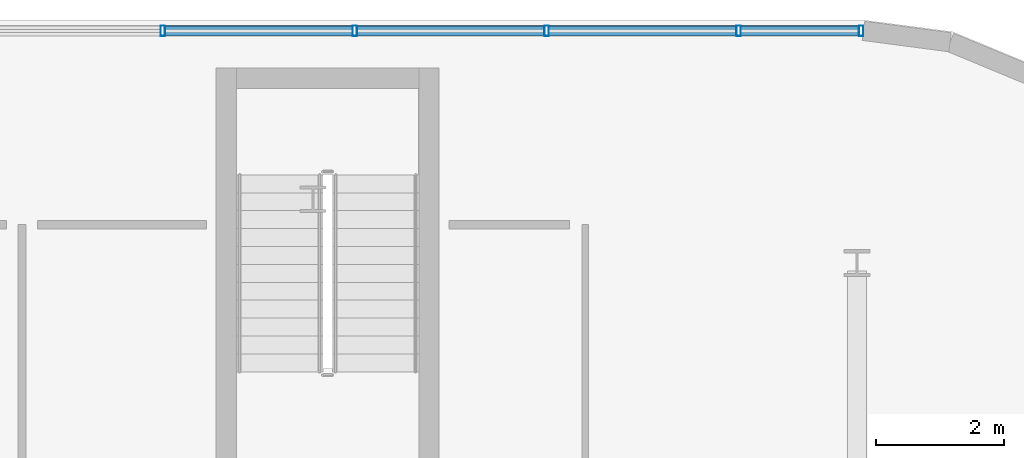
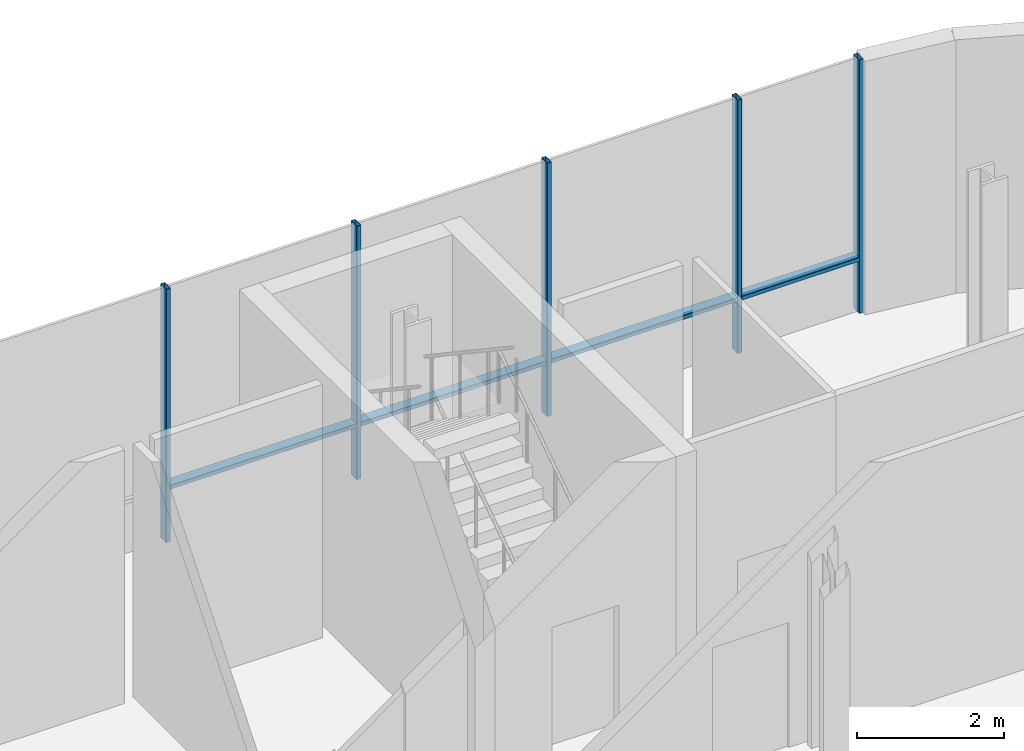
# One storey, part 13 of 25: 9 members, 1 element without a shape of its own.
"""IFC4 building model written with IfcOpenShell, lengths in metres."""

from ifc_helpers import new_model, si_unit, direction, frame, origin, origin_2d, place, context, subcontext, project, spatial, hollow_rectangle, extrude, material, layer, layer_set, material_profile, profile_set, type_object, element, aggregate, save


model = new_model("IFC4")

# Units and contexts
model_context = context("Model", 3, precision=1e-05, world=origin(), true_north=direction((0.0, 1.0)))
body_context = subcontext(model_context, "Body", "Model", "MODEL_VIEW")
ifc_project = project(units=[si_unit("LENGTHUNIT", "METRE"), si_unit("AREAUNIT", "SQUARE_METRE"), si_unit("VOLUMEUNIT", "CUBIC_METRE"), si_unit("PLANEANGLEUNIT", "RADIAN"), si_unit("MASSUNIT", "GRAM", prefix="KILO")], contexts=[model_context])

# Site, building, storey
site_placement = place(None, origin())
site = spatial("IfcSite", under=ifc_project, at=site_placement, CompositionType="ELEMENT")
building_placement = place(site_placement, origin())
building = spatial("IfcBuilding", under=site, at=building_placement, Name="Brevholm Reach", CompositionType="ELEMENT")
storey_placement = place(building_placement, frame((0.0, 0.0, 13.5)))
storey = spatial("IfcBuildingStorey", under=building, at=storey_placement, Name="L03", CompositionType="ELEMENT", Elevation=13.5)

# Curtain wall, members
ifc_material_1 = material(Name="Dark Anodised Aluminium 6063-T6 and Solar-Control Glass", Category="aluminium")
ifc_layer = layer(ifc_material_1, 0.1650390625)
ifc_layer_set = layer_set([ifc_layer], Name="Dark Anodised Aluminium 6063-T6 and Solar-Control Glass")
curtain_wall_type = type_object("IfcCurtainWallType", Name="CW-03", PredefinedType="NOTDEFINED", material=ifc_layer_set)
curtain_wall_placement = place(storey_placement, origin())
curtain_wall = element("IfcCurtainWall", 1, at=curtain_wall_placement, inside=storey, type_object=curtain_wall_type, Name="L03 Curtain Wall CW-03", PredefinedType="NOTDEFINED")
ifc_material_2 = material(Name="Dark Anodised Aluminium 6063-T6", Category="aluminium")
ifc_material_profile_1 = material_profile(ifc_material_2, hollow_rectangle(XDim=0.070068359375, YDim=0.1650390625, WallThickness=0.0048828125, InnerFilletRadius=0.0048828125, OuterFilletRadius=0.010009765625, at=origin_2d()), Name="RHS 165x70x5")
ifc_profile_set_1 = profile_set([ifc_material_profile_1], Name="Dark Anodised Aluminium 6063-T6")
member_type_1 = type_object("IfcMemberType", Name="CWM-165", PredefinedType="MULLION", material=ifc_profile_set_1)
member_1_placement = place(storey_placement, frame((54.64990234375, 39.830078125, 0.0), z_axis=(0.0, 0.0, 1.0), x_axis=(1.0, 0.0, 0.0)))
member_1 = element("IfcMember", 2, at=member_1_placement, type_object=member_type_1, Name="CM-165 Mullion 3", PredefinedType="MULLION", context=body_context, shape_type="SweptSolid", body=[
    extrude(hollow_rectangle(XDim=0.070068359375, YDim=0.1650390625, WallThickness=0.0048828125, InnerFilletRadius=0.0048828125, OuterFilletRadius=0.010009765625, at=origin_2d()), origin(), (0.0, 0.0, 1.0), 4.219970703125),
])
member_2_placement = place(storey_placement, frame((57.64990234375, 39.830078125, 0.0), z_axis=(0.0, 0.0, 1.0), x_axis=(1.0, 0.0, 0.0)))
member_2 = element("IfcMember", 3, at=member_2_placement, type_object=member_type_1, Name="CM-165 Mullion 4", PredefinedType="MULLION", context=body_context, shape_type="SweptSolid", body=[
    extrude(hollow_rectangle(XDim=0.070068359375, YDim=0.1650390625, WallThickness=0.0048828125, InnerFilletRadius=0.0048828125, OuterFilletRadius=0.010009765625, at=origin_2d()), origin(), (0.0, 0.0, 1.0), 4.219970703125),
])
member_3_placement = place(storey_placement, frame((60.64990234375, 39.830078125, 0.0), z_axis=(0.0, 0.0, 1.0), x_axis=(1.0, 0.0, 0.0)))
member_3 = element("IfcMember", 4, at=member_3_placement, type_object=member_type_1, Name="CM-165 Mullion 5", PredefinedType="MULLION", context=body_context, shape_type="SweptSolid", body=[
    extrude(hollow_rectangle(XDim=0.070068359375, YDim=0.1650390625, WallThickness=0.0048828125, InnerFilletRadius=0.0048828125, OuterFilletRadius=0.010009765625, at=origin_2d()), origin(), (0.0, 0.0, 1.0), 4.219970703125),
])
member_4_placement = place(storey_placement, frame((63.64990234375, 39.830078125, 0.0), z_axis=(0.0, 0.0, 1.0), x_axis=(1.0, 0.0, 0.0)))
member_4 = element("IfcMember", 5, at=member_4_placement, type_object=member_type_1, Name="CM-165 Mullion 6", PredefinedType="MULLION", context=body_context, shape_type="SweptSolid", body=[
    extrude(hollow_rectangle(XDim=0.070068359375, YDim=0.1650390625, WallThickness=0.0048828125, InnerFilletRadius=0.0048828125, OuterFilletRadius=0.010009765625, at=origin_2d()), origin(), (0.0, 0.0, 1.0), 4.219970703125),
])
member_5_placement = place(storey_placement, frame((65.56494140625, 39.830078125, 0.0), z_axis=(0.0, 0.0, 1.0), x_axis=(1.0, 0.0, 0.0)))
member_5 = element("IfcMember", 6, at=member_5_placement, type_object=member_type_1, Name="CM-165 Mullion 7", PredefinedType="MULLION", context=body_context, shape_type="SweptSolid", body=[
    extrude(hollow_rectangle(XDim=0.070068359375, YDim=0.1650390625, WallThickness=0.0048828125, InnerFilletRadius=0.0048828125, OuterFilletRadius=0.010009765625, at=origin_2d()), origin(), (0.0, 0.0, 1.0), 4.219970703125),
])
ifc_material_3 = material(Name="Dark Anodised Aluminium 6063-T6", Category="aluminium")
ifc_material_profile_2 = material_profile(ifc_material_3, hollow_rectangle(XDim=0.070068359375, YDim=0.1650390625, WallThickness=0.0048828125, InnerFilletRadius=0.0048828125, OuterFilletRadius=0.010009765625, at=origin_2d()), Name="RHS 165x70x5")
ifc_profile_set_2 = profile_set([ifc_material_profile_2], Name="Dark Anodised Aluminium 6063-T6")
member_type_2 = type_object("IfcMemberType", Name="CWT-165", PredefinedType="NOTDEFINED", material=ifc_profile_set_2)
member_6_placement = place(storey_placement, frame((54.68505859375, 39.830078125, 0.89990234375), z_axis=(1.0, 0.0, 0.0), x_axis=(0.0, 0.0, 1.0)))
member_6 = element("IfcMember", 7, at=member_6_placement, type_object=member_type_2, Name="CT-165 Transom 3.1", ObjectType="TRANSOM", PredefinedType="USERDEFINED", context=body_context, shape_type="SweptSolid", body=[
    extrude(hollow_rectangle(XDim=0.070068359375, YDim=0.1650390625, WallThickness=0.0048828125, InnerFilletRadius=0.0048828125, OuterFilletRadius=0.010009765625, at=origin_2d()), origin(), (0.0, 0.0, 1.0), 2.929931640625),
])
member_7_placement = place(storey_placement, frame((57.68505859375, 39.830078125, 0.89990234375), z_axis=(1.0, 0.0, 0.0), x_axis=(0.0, 0.0, 1.0)))
member_7 = element("IfcMember", 8, at=member_7_placement, type_object=member_type_2, Name="CT-165 Transom 4.1", ObjectType="TRANSOM", PredefinedType="USERDEFINED", context=body_context, shape_type="SweptSolid", body=[
    extrude(hollow_rectangle(XDim=0.070068359375, YDim=0.1650390625, WallThickness=0.0048828125, InnerFilletRadius=0.0048828125, OuterFilletRadius=0.010009765625, at=origin_2d()), origin(), (0.0, 0.0, 1.0), 2.929931640625),
])
member_8_placement = place(storey_placement, frame((60.68505859375, 39.830078125, 0.89990234375), z_axis=(1.0, 0.0, 0.0), x_axis=(0.0, 0.0, 1.0)))
member_8 = element("IfcMember", 9, at=member_8_placement, type_object=member_type_2, Name="CT-165 Transom 5.1", ObjectType="TRANSOM", PredefinedType="USERDEFINED", context=body_context, shape_type="SweptSolid", body=[
    extrude(hollow_rectangle(XDim=0.070068359375, YDim=0.1650390625, WallThickness=0.0048828125, InnerFilletRadius=0.0048828125, OuterFilletRadius=0.010009765625, at=origin_2d()), origin(), (0.0, 0.0, 1.0), 2.929931640625),
])
member_9_placement = place(storey_placement, frame((63.68505859375, 39.830078125, 0.89990234375), z_axis=(1.0, 0.0, 0.0), x_axis=(0.0, 0.0, 1.0)))
member_9 = element("IfcMember", 10, at=member_9_placement, type_object=member_type_2, Name="CT-165 Transom 6.1", ObjectType="TRANSOM", PredefinedType="USERDEFINED", context=body_context, shape_type="SweptSolid", body=[
    extrude(hollow_rectangle(XDim=0.070068359375, YDim=0.1650390625, WallThickness=0.0048828125, InnerFilletRadius=0.0048828125, OuterFilletRadius=0.010009765625, at=origin_2d()), origin(), (0.0, 0.0, 1.0), 1.844970703125),
])
aggregate(curtain_wall, [member_1, member_2, member_3, member_4, member_5, member_6, member_7, member_8, member_9])

save(model, "model.ifc")
